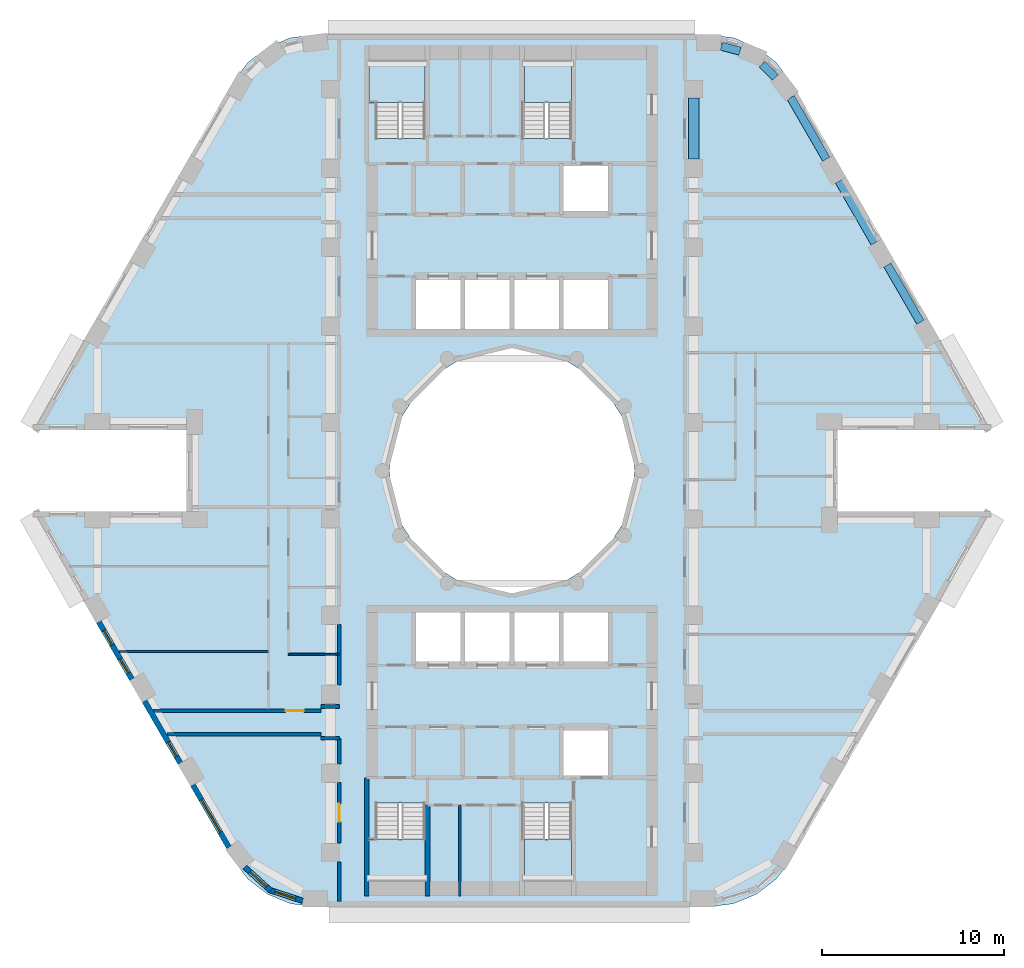
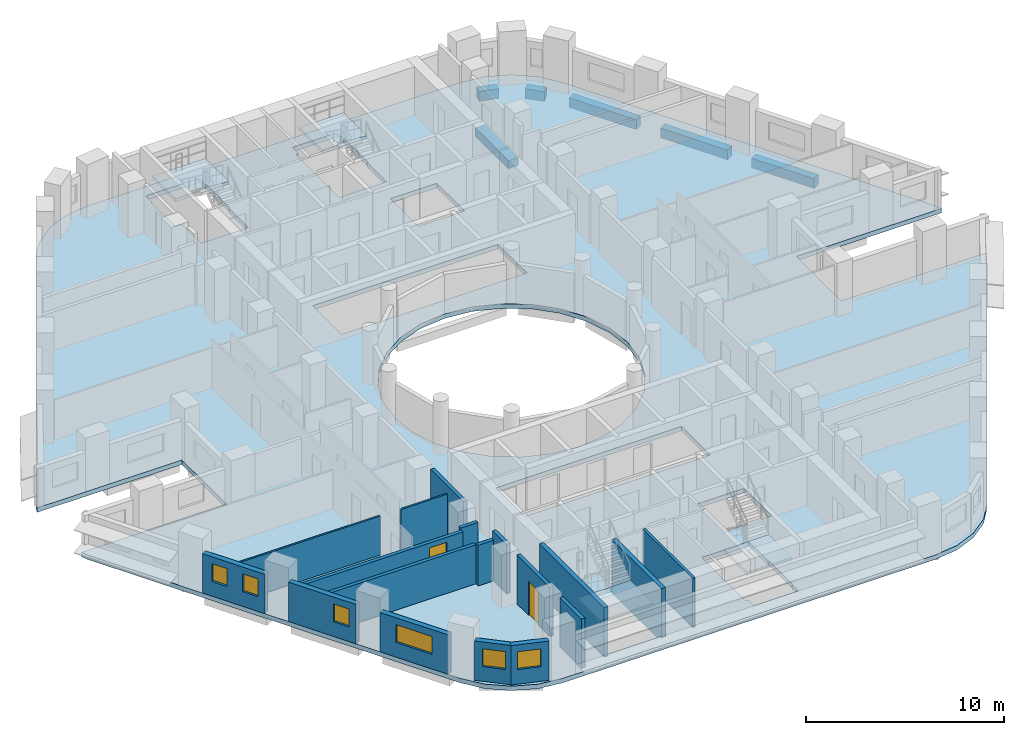
# One storey, part 2 of 12: 18 walls, 6 beams, 6 windows, 5 slabs, 2 doors, 8 openings, 4 elements without a shape of their own.
"""IFC4 building model written with IfcOpenShell, lengths in metres."""

from ifc_helpers import new_model, si_unit, direction, frame, frame_2d, origin, origin_2d, place, context, subcontext, project, spatial, polyline, rectangle, outline, extrude, material, layer, layer_set, material_profile, profile_set, type_object, element, fill, aggregate, save


model = new_model("IFC4")

# Units and contexts
model_context = context("Model", 3, precision=1e-05, world=origin(), true_north=direction((0.0, 1.0)))
body_context = subcontext(model_context, "Body", "Model", "MODEL_VIEW")
ifc_project = project(units=[si_unit("LENGTHUNIT", "METRE"), si_unit("AREAUNIT", "SQUARE_METRE"), si_unit("VOLUMEUNIT", "CUBIC_METRE"), si_unit("PLANEANGLEUNIT", "RADIAN"), si_unit("MASSUNIT", "GRAM", prefix="KILO")], contexts=[model_context])

# Site, building, storey
site_placement = place(None, origin())
site = spatial("IfcSite", under=ifc_project, at=site_placement, CompositionType="ELEMENT")
building_placement = place(site_placement, origin())
building = spatial("IfcBuilding", under=site, at=building_placement, Name="Nakaniwa Court", CompositionType="ELEMENT")
storey_placement = place(building_placement, frame((0.0, 0.0, 100.800048828125)))
storey = spatial("IfcBuildingStorey", under=building, at=storey_placement, Name="L26", CompositionType="ELEMENT", Elevation=100.800048828125)

# Beams
ifc_material_1 = material(Name="Concrete C80/100", Category="concrete")
ifc_material_profile_1 = material_profile(ifc_material_1, rectangle(XDim=0.449951171875, YDim=0.60009765625, at=origin_2d()), Name="Concrete C80/100 RC 450x600 spandrel beam")
ifc_profile_set_1 = profile_set([ifc_material_profile_1], Name="Concrete C80/100")
beam_type_1 = type_object("IfcBeamType", Name="Concrete C80/100 RC 450x600 spandrel beam", PredefinedType="BEAM", material=ifc_profile_set_1)
beam_1_placement = place(storey_placement, frame((102.472900390625, 88.17578125, -0.574951171875), z_axis=(-0.499988394233, 0.866032104273, 0.0), x_axis=(-0.866032104273, -0.499988394233, 0.0)))
element("IfcBeam", 1, at=beam_1_placement, inside=storey, type_object=beam_type_1, Name="SPANDREL BEAM", PredefinedType="BEAM", context=body_context, shape_type="SweptSolid", body=[
    extrude(rectangle(XDim=0.449951171875, YDim=0.60009765625, at=origin_2d()), origin(), (0.0, 0.0, 1.0), 3.62890625),
])
beam_2_placement = place(storey_placement, frame((99.95849609375, 92.531005859375, -0.574951171875), z_axis=(-0.49999161165, 0.866030246746, 0.0), x_axis=(-0.866030246746, -0.49999161165, 0.0)))
element("IfcBeam", 2, at=beam_2_placement, inside=storey, type_object=beam_type_1, Name="SPANDREL BEAM", PredefinedType="BEAM", context=body_context, shape_type="SweptSolid", body=[
    extrude(rectangle(XDim=0.449951171875, YDim=0.60009765625, at=origin_2d()), origin(), (0.0, 0.0, 1.0), 3.92578125),
])
beam_3_placement = place(storey_placement, frame((97.29541015625, 97.143310546875, -0.574951171875), z_axis=(-0.499997407846, 0.86602690036, 0.0), x_axis=(-0.86602690036, -0.499997407846, 0.0)))
element("IfcBeam", 3, at=beam_3_placement, inside=storey, type_object=beam_type_1, Name="SPANDREL BEAM", PredefinedType="BEAM", context=body_context, shape_type="SweptSolid", body=[
    extrude(rectangle(XDim=0.449951171875, YDim=0.60009765625, at=origin_2d()), origin(), (0.0, 0.0, 1.0), 3.919921875),
])
beam_4_placement = place(storey_placement, frame((94.484130859375, 101.6494140625, -0.574951171875), z_axis=(-0.705911336947, 0.7083002078, 0.0), x_axis=(-0.7083002078, -0.705911336947, 0.0)))
element("IfcBeam", 4, at=beam_4_placement, inside=storey, type_object=beam_type_1, Name="SPANDREL BEAM", PredefinedType="BEAM", context=body_context, shape_type="SweptSolid", body=[
    extrude(rectangle(XDim=0.449951171875, YDim=0.60009765625, at=origin_2d()), origin(), (0.0, 0.0, 1.0), 1.02197265625),
])
beam_5_placement = place(storey_placement, frame((92.544921875, 103.091796875, -0.574951171875), z_axis=(-0.966315487466, 0.257360406209, 0.0), x_axis=(-0.257360406209, -0.966315487466, 0.0)))
element("IfcBeam", 5, at=beam_5_placement, inside=storey, type_object=beam_type_1, Name="SPANDREL BEAM", PredefinedType="BEAM", context=body_context, shape_type="SweptSolid", body=[
    extrude(rectangle(XDim=0.449951171875, YDim=0.60009765625, at=origin_2d()), origin(), (0.0, 0.0, 1.0), 1.055908203125),
])
ifc_material_profile_2 = material_profile(ifc_material_1, rectangle(XDim=0.60009765625, YDim=0.5, at=origin_2d()), Name="Concrete C80/100 RC 600x500 ring beam")
ifc_profile_set_2 = profile_set([ifc_material_profile_2], Name="Concrete C80/100")
beam_type_2 = type_object("IfcBeamType", Name="Concrete C80/100 RC 600x500 ring beam", PredefinedType="BEAM", material=ifc_profile_set_2)
beam_6_placement = place(storey_placement, frame((90.0, 97.14990234375, -0.525146484375), z_axis=(0.0, 1.0, 0.0), x_axis=(-1.0, 0.0, 0.0)))
element("IfcBeam", 6, at=beam_6_placement, inside=storey, type_object=beam_type_2, Name="RING BEAM", PredefinedType="BEAM", context=body_context, shape_type="SweptSolid", body=[
    extrude(rectangle(XDim=0.60009765625, YDim=0.5, at=origin_2d()), origin(), (0.0, 0.0, 1.0), 3.35009765625),
])

# Slab
ifc_layer_1 = layer(ifc_material_1, 0.27490234375)
ifc_layer_set_1 = layer_set([ifc_layer_1], Name="Concrete C80/100")
slab_type_1 = type_object("IfcSlabType", Name="Concrete C80/100 post tensioned floor slab 275", PredefinedType="FLOOR", material=ifc_layer_set_1)
slab_1_placement = place(storey_placement, frame((0.0, 0.0, -0.275146484375)))
element("IfcSlab", 7, at=slab_1_placement, inside=storey, type_object=slab_type_1, Name="FLOOR SLAB", PredefinedType="FLOOR", context=body_context, shape_type="SweptSolid", body=[
    extrude(outline(polyline([(97.908447265625, 82.25), (106.356689453125, 82.25), (106.211669921875, 82.60009765625), (95.357421875, 101.39990234375), (94.531005859375, 102.47705078125), (93.4541015625, 103.30322265625), (92.199951171875, 103.82275390625), (90.854248046875, 104.0), (69.145751953125, 104.0), (67.800048828125, 103.82275390625), (66.5458984375, 103.30322265625), (65.468994140625, 102.47705078125), (64.642578125, 101.39990234375), (53.788330078125, 82.60009765625), (53.643310546875, 82.25), (62.091552734375, 82.25), (62.091552734375, 77.75), (53.643310546875, 77.75), (53.788330078125, 77.39990234375), (64.642578125, 58.60009765625), (65.468994140625, 57.52294921875), (66.5458984375, 56.69677734375), (67.800048828125, 56.17724609375), (69.145751953125, 56.0), (90.854248046875, 56.0), (92.199951171875, 56.17724609375), (93.4541015625, 56.69677734375), (94.531005859375, 57.52294921875), (95.357421875, 58.60009765625), (106.211669921875, 77.39990234375), (106.356689453125, 77.75), (97.908447265625, 77.75), (97.908447265625, 82.25)]), holes=[polyline([(81.501953125, 86.580810546875), (80.0, 86.75), (78.498046875, 86.580810546875), (77.0712890625, 86.08154296875), (75.79150390625, 85.27734375), (74.72265625, 84.20849609375), (73.91845703125, 82.9287109375), (73.419189453125, 81.501953125), (73.25, 80.0), (73.419189453125, 78.498046875), (73.91845703125, 77.0712890625), (74.72265625, 75.79150390625), (75.79150390625, 74.72265625), (77.0712890625, 73.91845703125), (78.498046875, 73.419189453125), (80.0, 73.25), (81.501953125, 73.419189453125), (82.9287109375, 73.91845703125), (84.20849609375, 74.72265625), (85.27734375, 75.79150390625), (86.08154296875, 77.0712890625), (86.580810546875, 78.498046875), (86.75, 80.0), (86.580810546875, 81.501953125), (86.08154296875, 82.9287109375), (85.27734375, 84.20849609375), (84.20849609375, 85.27734375), (82.9287109375, 86.08154296875), (81.501953125, 86.580810546875)]), polyline([(75.264892578125, 57.360107421875), (75.264892578125, 59.764892578125), (75.22509765625, 59.764892578125), (75.22509765625, 61.7099609375), (72.47509765625, 61.7099609375), (72.47509765625, 59.764892578125), (72.0849609375, 59.764892578125), (72.0849609375, 57.360107421875), (72.125, 57.360107421875), (72.125, 56.72509765625), (75.22509765625, 56.72509765625), (75.22509765625, 57.324951171875), (75.22509765625, 57.360107421875), (75.264892578125, 57.360107421875)]), polyline([(80.0, 69.300048828125), (82.699951171875, 69.300048828125), (85.39990234375, 69.300048828125), (85.39990234375, 72.199951171875), (82.699951171875, 72.199951171875), (80.0, 72.199951171875), (77.300048828125, 72.199951171875), (74.60009765625, 72.199951171875), (74.60009765625, 69.300048828125), (77.300048828125, 69.300048828125), (80.0, 69.300048828125)]), polyline([(80.0, 87.800048828125), (82.699951171875, 87.800048828125), (85.39990234375, 87.800048828125), (85.39990234375, 90.699951171875), (82.699951171875, 90.699951171875), (80.0, 90.699951171875), (77.300048828125, 90.699951171875), (74.60009765625, 90.699951171875), (74.60009765625, 87.800048828125), (77.300048828125, 87.800048828125), (80.0, 87.800048828125)]), polyline([(75.264892578125, 100.235107421875), (75.264892578125, 102.639892578125), (75.22509765625, 102.639892578125), (75.22509765625, 102.675048828125), (75.22509765625, 103.27490234375), (72.125, 103.27490234375), (72.125, 102.639892578125), (72.0849609375, 102.639892578125), (72.0849609375, 100.235107421875), (72.47509765625, 100.235107421875), (72.47509765625, 98.2900390625), (75.22509765625, 98.2900390625), (75.22509765625, 100.235107421875), (75.264892578125, 100.235107421875)]), polyline([(83.27490234375, 61.7099609375), (80.52490234375, 61.7099609375), (80.52490234375, 57.324951171875), (80.675048828125, 57.324951171875), (80.675048828125, 56.72509765625), (83.27490234375, 56.72509765625), (83.27490234375, 57.324951171875), (83.27490234375, 57.360107421875), (83.31494140625, 57.360107421875), (83.31494140625, 59.764892578125), (83.27490234375, 59.764892578125), (83.27490234375, 61.7099609375)]), polyline([(85.39990234375, 65.89990234375), (82.699951171875, 65.89990234375), (82.699951171875, 63.10009765625), (85.39990234375, 63.10009765625), (85.39990234375, 65.89990234375)]), polyline([(85.39990234375, 96.89990234375), (82.699951171875, 96.89990234375), (82.699951171875, 94.10009765625), (85.39990234375, 94.10009765625), (85.39990234375, 96.89990234375)]), polyline([(83.27490234375, 100.235107421875), (83.31494140625, 100.235107421875), (83.31494140625, 102.639892578125), (83.27490234375, 102.639892578125), (83.27490234375, 102.675048828125), (83.27490234375, 103.27490234375), (80.675048828125, 103.27490234375), (80.675048828125, 102.675048828125), (80.52490234375, 102.675048828125), (80.52490234375, 98.2900390625), (83.27490234375, 98.2900390625), (83.27490234375, 100.235107421875)])]), origin(), (0.0, 0.0, 1.0), 0.275146484375),
])

# Stair, slab
stair_type = type_object("IfcStairType", Name="Dog leg stair 1300 wide 18 risers", PredefinedType="HALF_TURN_STAIR", material=ifc_material_1)
stair_1_placement = place(storey_placement, origin())
stair_1 = element("IfcStair", 8, at=stair_1_placement, inside=storey, type_object=stair_type, Name="L26 Stair ST1", PredefinedType="HALF_TURN_STAIR")
ifc_layer_2 = layer(ifc_material_1, 0.199951171875)
ifc_layer_set_2 = layer_set([ifc_layer_2], Name="Concrete C80/100")
slab_type_2 = type_object("IfcSlabType", Name="Stair landing concrete", PredefinedType="LANDING", material=ifc_layer_set_2)
slab_2_placement = place(storey_placement, frame((0.0, 0.0, 1.449951171875)))
slab_2 = element("IfcSlab", 9, at=slab_2_placement, type_object=slab_type_2, Name="ST1 landing 1", PredefinedType="LANDING", context=body_context, shape_type="SweptSolid", body=[
    extrude(outline(polyline([(75.22509765625, 100.27490234375), (75.22509765625, 102.60009765625), (72.125, 102.60009765625), (72.125, 100.27490234375), (75.22509765625, 100.27490234375)])), origin(), (0.0, 0.0, 1.0), 0.199951171875),
])
aggregate(stair_1, [slab_2])

stair_2_placement = place(storey_placement, origin())
stair_2 = element("IfcStair", 10, at=stair_2_placement, inside=storey, type_object=stair_type, Name="L26 Stair ST2", PredefinedType="HALF_TURN_STAIR")
slab_3_placement = place(storey_placement, frame((0.0, 0.0, 1.449951171875)))
slab_3 = element("IfcSlab", 11, at=slab_3_placement, type_object=slab_type_2, Name="ST2 landing 1", PredefinedType="LANDING", context=body_context, shape_type="SweptSolid", body=[
    extrude(outline(polyline([(83.27490234375, 100.27490234375), (83.27490234375, 102.60009765625), (80.675048828125, 102.60009765625), (80.675048828125, 100.27490234375), (83.27490234375, 100.27490234375)])), origin(), (0.0, 0.0, 1.0), 0.199951171875),
])
aggregate(stair_2, [slab_3])

stair_3_placement = place(storey_placement, origin())
stair_3 = element("IfcStair", 12, at=stair_3_placement, inside=storey, type_object=stair_type, Name="L26 Stair ST3", PredefinedType="HALF_TURN_STAIR")
slab_4_placement = place(storey_placement, frame((0.0, 0.0, 1.449951171875)))
slab_4 = element("IfcSlab", 13, at=slab_4_placement, type_object=slab_type_2, Name="ST3 landing 1", PredefinedType="LANDING", context=body_context, shape_type="SweptSolid", body=[
    extrude(outline(polyline([(75.22509765625, 57.39990234375), (75.22509765625, 59.72509765625), (72.125, 59.72509765625), (72.125, 57.39990234375), (75.22509765625, 57.39990234375)])), origin(), (0.0, 0.0, 1.0), 0.199951171875),
])
aggregate(stair_3, [slab_4])

stair_4_placement = place(storey_placement, origin())
stair_4 = element("IfcStair", 14, at=stair_4_placement, inside=storey, type_object=stair_type, Name="L26 Stair ST4", PredefinedType="HALF_TURN_STAIR")
slab_5_placement = place(storey_placement, frame((0.0, 0.0, 1.449951171875)))
slab_5 = element("IfcSlab", 15, at=slab_5_placement, type_object=slab_type_2, Name="ST4 landing 1", PredefinedType="LANDING", context=body_context, shape_type="SweptSolid", body=[
    extrude(outline(polyline([(83.27490234375, 57.39990234375), (83.27490234375, 59.72509765625), (80.675048828125, 59.72509765625), (80.675048828125, 57.39990234375), (83.27490234375, 57.39990234375)])), origin(), (0.0, 0.0, 1.0), 0.199951171875),
])
aggregate(stair_4, [slab_5])

# Walls
ifc_material_2 = material(Name="Acoustic double stud partition")
ifc_layer_3 = layer(ifc_material_2, 0.199951171875)
ifc_layer_set_3 = layer_set([ifc_layer_3], Name="Acoustic double stud partition")
wall_type_1 = type_object("IfcWallType", Name="Acoustic double stud partition 200", PredefinedType="PARTITIONING", material=ifc_layer_set_3)
wall_1_placement = place(storey_placement, frame((61.005126953125, 65.5, 0.0), z_axis=(0.0, 0.0, 1.0), x_axis=(1.0, 0.0, 0.0)))
element("IfcWall", 16, at=wall_1_placement, inside=storey, type_object=wall_type_1, Name="Partition PW-089", PredefinedType="PARTITIONING", context=body_context, shape_type="SweptSolid", body=[
    extrude(rectangle(XDim=8.494873046875, YDim=0.199951171875, at=frame_2d((4.24755859375, 0.0))), origin(), (0.0, 0.0, 1.0), 2.405029296875),
])
for number, where, z_axis, x_axis, name in (
    (17, (69.5, 65.27490234375, 0.0), (0.0, 0.0, 1.0), (1.0, 0.0, 0.0), "Partition PW-091"),
    (18, (69.5, 67.02490234375, 0.0), (0.0, 0.0, 1.0), (1.0, 0.0, 0.0), "Partition PW-093"),
):
    element("IfcWall", number, at=place(storey_placement, frame(where, z_axis=z_axis, x_axis=x_axis)), inside=storey, type_object=wall_type_1, Name=name, PredefinedType="PARTITIONING", context=body_context, shape_type="SweptSolid", body=[
        extrude(rectangle(XDim=1.0, YDim=0.199951171875, at=frame_2d((0.5, 0.0))), origin(), (0.0, 0.0, 1.0), 2.5048828125),
    ])

# Wall, opening, door
wall_2_placement = place(storey_placement, frame((60.254638671875, 66.800048828125, 0.0), z_axis=(0.0, 0.0, 1.0), x_axis=(1.0, 0.0, 0.0)))
wall_2 = element("IfcWall", 19, at=wall_2_placement, inside=storey, type_object=wall_type_1, Name="Partition PW-095", PredefinedType="PARTITIONING", context=body_context, shape_type="SweptSolid", body=[
    extrude(rectangle(XDim=9.245361328125, YDim=0.199951171875, at=frame_2d((4.62255859375, 0.0))), origin(), (0.0, 0.0, 1.0), 2.405029296875),
])
opening_1_placement = place(wall_2_placement, frame((7.294921875, 0.0, 0.0)))
opening_1 = element("IfcOpeningElement", 20, at=opening_1_placement, cuts=wall_2, Name="Opening D-01-02", PredefinedType="OPENING", context=body_context, shape_type="SweptSolid", body=[
    extrude(rectangle(XDim=1.0, YDim=2.10009765625, at=frame_2d((0.5, 1.050048828125))), frame((0.0, 0.10986328125, 0.0), z_axis=(0.0, -1.0, 0.0), x_axis=(1.0, 0.0, 0.0)), (0.0, 0.0, 1.0), 0.219970703125),
])
ifc_material_3 = material(Name="Solid core timber door set, black veneer", Category="wood")
door_type_1 = type_object("IfcDoorType", Name="Flat entrance door 1000", OperationType="NOTDEFINED", PredefinedType="DOOR", material=ifc_material_3)
door_1_placement = place(opening_1_placement, origin())
door_1 = element("IfcDoor", 21, at=door_1_placement, inside=storey, type_object=door_type_1, Name="Door D-01-02 L26-036", OperationType="SINGLE_SWING_LEFT", OverallHeight=2.10009765625, OverallWidth=1.0, PredefinedType="DOOR", context=body_context, shape_type="SweptSolid", body=[
    extrude(rectangle(XDim=1.0, YDim=2.10009765625, at=frame_2d((0.5, 1.050048828125))), frame((0.0, 0.02490234375, 0.0), z_axis=(0.0, -1.0, 0.0), x_axis=(1.0, 0.0, 0.0)), (0.0, 0.0, 1.0), 0.050048828125),
])
fill(opening_1, door_1)

# Wall
wall_3_placement = place(storey_placement, frame((70.5, 56.300048828125, 0.0), z_axis=(0.0, 0.0, 1.0), x_axis=(0.0, 1.0, 0.0)))
element("IfcWall", 22, at=wall_3_placement, inside=storey, type_object=wall_type_1, Name="Partition PW-097", PredefinedType="PARTITIONING", context=body_context, shape_type="SweptSolid", body=[
    extrude(rectangle(XDim=2.182861328125, YDim=0.199951171875, at=frame_2d((1.09130859375, 0.0))), origin(), (0.0, 0.0, 1.0), 3.02490234375),
])

# Wall, opening, door
wall_4_placement = place(storey_placement, frame((70.5, 59.51708984375, 0.0), z_axis=(0.0, 0.0, 1.0), x_axis=(0.0, 1.0, 0.0)))
wall_4 = element("IfcWall", 23, at=wall_4_placement, inside=storey, type_object=wall_type_1, Name="Partition PW-098", PredefinedType="PARTITIONING", context=body_context, shape_type="SweptSolid", body=[
    extrude(rectangle(XDim=3.31591796875, YDim=0.199951171875, at=frame_2d((1.657958984375, 0.0))), origin(), (0.0, 0.0, 1.0), 3.02490234375),
])
opening_2_placement = place(wall_4_placement, frame((1.157958984375, 0.0, 0.0)))
opening_2 = element("IfcOpeningElement", 24, at=opening_2_placement, cuts=wall_4, Name="Opening D-02-03", PredefinedType="OPENING", context=body_context, shape_type="SweptSolid", body=[
    extrude(rectangle(XDim=1.0, YDim=2.10009765625, at=frame_2d((0.5, 1.050048828125))), frame((0.0, 0.10986328125, 0.0), z_axis=(0.0, -1.0, 0.0), x_axis=(1.0, 0.0, 0.0)), (0.0, 0.0, 1.0), 0.219970703125),
])
door_type_2 = type_object("IfcDoorType", Name="Internal door 1000", OperationType="NOTDEFINED", PredefinedType="DOOR", material=ifc_material_3)
door_2_placement = place(opening_2_placement, origin())
door_2 = element("IfcDoor", 25, at=door_2_placement, inside=storey, type_object=door_type_2, Name="Door D-02-03 L26-035", OperationType="SINGLE_SWING_RIGHT", OverallHeight=2.10009765625, OverallWidth=1.0, PredefinedType="DOOR", context=body_context, shape_type="SweptSolid", body=[
    extrude(rectangle(XDim=1.0, YDim=2.10009765625, at=frame_2d((0.5, 1.050048828125))), frame((0.0, 0.02490234375, 0.0), z_axis=(0.0, -1.0, 0.0), x_axis=(1.0, 0.0, 0.0)), (0.0, 0.0, 1.0), 0.050048828125),
])
fill(opening_2, door_2)

# Walls
wall_5_placement = place(storey_placement, frame((70.5, 63.866943359375, 0.0), z_axis=(0.0, 0.0, 1.0), x_axis=(0.0, 1.0, 0.0)))
element("IfcWall", 26, at=wall_5_placement, inside=storey, type_object=wall_type_1, Name="Partition PW-099", PredefinedType="PARTITIONING", context=body_context, shape_type="SweptSolid", body=[
    extrude(rectangle(XDim=1.4111328125, YDim=0.199951171875, at=frame_2d((0.70556640625, 0.0))), origin(), (0.0, 0.0, 1.0), 3.02490234375),
])
wall_6_placement = place(storey_placement, frame((70.5, 68.217041015625, 0.0), z_axis=(0.0, 0.0, 1.0), x_axis=(0.0, 1.0, 0.0)))
element("IfcWall", 27, at=wall_6_placement, inside=storey, type_object=wall_type_1, Name="Partition PW-100", PredefinedType="PARTITIONING", context=body_context, shape_type="SweptSolid", body=[
    extrude(rectangle(XDim=3.31591796875, YDim=0.199951171875, at=frame_2d((1.657958984375, 0.0))), origin(), (0.0, 0.0, 1.0), 3.02490234375),
])

# Wall, openings, windows
ifc_material_4 = material(Name="Charcoal ceramic cladding")
ifc_layer_4 = layer(ifc_material_4, 0.02, Name="Ceramic cladding")
ifc_material_5 = material(Name="Ventilated air cavity")
ifc_layer_5 = layer(ifc_material_5, 0.04, ventilated=True, Name="Ventilated cavity")
ifc_material_6 = material(Name="Mineral wool insulation")
ifc_layer_6 = layer(ifc_material_6, 0.1, Name="Insulation")
ifc_material_7 = material(Name="Cement bonded sheathing board")
ifc_layer_7 = layer(ifc_material_7, 0.012, Name="Sheathing")
ifc_material_8 = material(Name="Cold-formed galvanised stud frame with mineral wool infill")
ifc_layer_8 = layer(ifc_material_8, 0.1, Name="Stud frame")
ifc_material_9 = material(Name="Fire-rated gypsum plasterboard lining")
ifc_layer_9 = layer(ifc_material_9, 0.028, Name="Lining")
ifc_layer_set_4 = layer_set([ifc_layer_4, ifc_layer_5, ifc_layer_6, ifc_layer_7, ifc_layer_8, ifc_layer_9], Name="Charcoal ceramic faced external wall system")
wall_type_2 = type_object("IfcWallType", Name="Black ceramic faced external wall 300", PredefinedType="SOLIDWALL", material=ifc_layer_set_4)
wall_7_placement = place(storey_placement, frame((57.265380859375, 71.677490234375, 0.0), z_axis=(0.0, 0.0, 1.0), x_axis=(0.500009139881, -0.866020126807, 0.0)))
wall_7 = element("IfcWall", 28, at=wall_7_placement, inside=storey, type_object=wall_type_2, Name="L26 external wall 21", PredefinedType="SOLIDWALL", context=body_context, shape_type="SweptSolid", body=[
    extrude(rectangle(XDim=3.63671875, YDim=0.300048828125, at=frame_2d((1.818359375, 0.0))), origin(), (0.0, 0.0, 1.0), 2.425048828125),
])
opening_3_placement = place(wall_7_placement, frame((0.5498046875, 0.0, 0.89990234375)))
opening_3 = element("IfcOpeningElement", 29, at=opening_3_placement, cuts=wall_7, Name="Opening W9.23", PredefinedType="OPENING", context=body_context, shape_type="SweptSolid", body=[
    extrude(rectangle(XDim=0.89990234375, YDim=1.10009765625, at=frame_2d((0.449951171875, 0.550048828125))), frame((0.0, 0.159912109375, 0.0), z_axis=(0.0, -1.0, 0.0), x_axis=(1.0, 0.0, 0.0)), (0.0, 0.0, 1.0), 0.320068359375),
])
opening_4_placement = place(wall_7_placement, frame((2.34423828125, 0.0, 0.89990234375)))
opening_4 = element("IfcOpeningElement", 30, at=opening_4_placement, cuts=wall_7, Name="Opening W9.24", PredefinedType="OPENING", context=body_context, shape_type="SweptSolid", body=[
    extrude(rectangle(XDim=0.89990234375, YDim=1.10009765625, at=frame_2d((0.449951171875, 0.550048828125))), frame((0.0, 0.159912109375, 0.0), z_axis=(0.0, -1.0, 0.0), x_axis=(1.0, 0.0, 0.0)), (0.0, 0.0, 1.0), 0.320068359375),
])
ifc_material_10 = material(Name="Black anodised aluminium frame with dark low-E laminated double glazing", Category="aluminium")
window_type_1 = type_object("IfcWindowType", Name="Dark glass window 900x1100 sill 900", PartitioningType="SINGLE_PANEL", PredefinedType="WINDOW", material=ifc_material_10)
window_1_placement = place(opening_3_placement, origin())
window_1 = element("IfcWindow", 31, at=window_1_placement, inside=storey, type_object=window_type_1, Name="L26 living window 21-0", OverallHeight=1.10009765625, OverallWidth=0.89990234375, PartitioningType="SINGLE_PANEL", PredefinedType="WINDOW", context=body_context, shape_type="SweptSolid", body=[
    extrude(rectangle(XDim=0.89990234375, YDim=1.10009765625, at=frame_2d((0.449951171875, 0.550048828125))), frame((0.0, 0.030029296875, 0.0), z_axis=(0.0, -1.0, 0.0), x_axis=(1.0, 0.0, 0.0)), (0.0, 0.0, 1.0), 0.06005859375),
])
fill(opening_3, window_1)
window_2_placement = place(opening_4_placement, origin())
window_2 = element("IfcWindow", 32, at=window_2_placement, inside=storey, type_object=window_type_1, Name="L26 bedroom window 21-1", OverallHeight=1.10009765625, OverallWidth=0.89990234375, PartitioningType="SINGLE_PANEL", PredefinedType="WINDOW", context=body_context, shape_type="SweptSolid", body=[
    extrude(rectangle(XDim=0.89990234375, YDim=1.10009765625, at=frame_2d((0.449951171875, 0.550048828125))), frame((0.0, 0.030029296875, 0.0), z_axis=(0.0, -1.0, 0.0), x_axis=(1.0, 0.0, 0.0)), (0.0, 0.0, 1.0), 0.06005859375),
])
fill(opening_4, window_2)

# Wall, opening, window
wall_8_placement = place(storey_placement, frame((59.77978515625, 67.322509765625, 0.0), z_axis=(0.0, 0.0, 1.0), x_axis=(0.499957037901, -0.866050206543, 0.0)))
wall_8 = element("IfcWall", 33, at=wall_8_placement, inside=storey, type_object=wall_type_2, Name="L26 external wall 22", PredefinedType="SOLIDWALL", context=body_context, shape_type="SweptSolid", body=[
    extrude(rectangle(XDim=3.933837890625, YDim=0.300048828125, at=frame_2d((1.966796875, 0.0))), origin(), (0.0, 0.0, 1.0), 2.425048828125),
])
opening_5_placement = place(wall_8_placement, frame((2.606201171875, 0.0, 0.89990234375)))
opening_5 = element("IfcOpeningElement", 34, at=opening_5_placement, cuts=wall_8, Name="Opening W9.25", PredefinedType="OPENING", context=body_context, shape_type="SweptSolid", body=[
    extrude(rectangle(XDim=0.89990234375, YDim=1.10009765625, at=frame_2d((0.449951171875, 0.550048828125))), frame((0.0, 0.159912109375, 0.0), z_axis=(0.0, -1.0, 0.0), x_axis=(1.0, 0.0, 0.0)), (0.0, 0.0, 1.0), 0.320068359375),
])
window_3_placement = place(opening_5_placement, origin())
window_3 = element("IfcWindow", 35, at=window_3_placement, inside=storey, type_object=window_type_1, Name="L26 habitable room window 22-2", OverallHeight=1.10009765625, OverallWidth=0.89990234375, PartitioningType="SINGLE_PANEL", PredefinedType="WINDOW", context=body_context, shape_type="SweptSolid", body=[
    extrude(rectangle(XDim=0.89990234375, YDim=1.10009765625, at=frame_2d((0.449951171875, 0.550048828125))), frame((0.0, 0.030029296875, 0.0), z_axis=(0.0, -1.0, 0.0), x_axis=(1.0, 0.0, 0.0)), (0.0, 0.0, 1.0), 0.06005859375),
])
fill(opening_5, window_3)

wall_9_placement = place(storey_placement, frame((62.442626953125, 62.710205078125, 0.0), z_axis=(0.0, 0.0, 1.0), x_axis=(0.500043828347, -0.866000097998, 0.0)))
wall_9 = element("IfcWall", 36, at=wall_9_placement, inside=storey, type_object=wall_type_2, Name="L26 external wall 23", PredefinedType="SOLIDWALL", context=body_context, shape_type="SweptSolid", body=[
    extrude(rectangle(XDim=3.967529296875, YDim=0.300048828125, at=frame_2d((1.98388671875, 0.0))), origin(), (0.0, 0.0, 1.0), 2.425048828125),
])
opening_6_placement = place(wall_9_placement, frame((0.92236328125, 0.0, 0.89990234375)))
opening_6 = element("IfcOpeningElement", 37, at=opening_6_placement, cuts=wall_9, Name="Opening W7.26", PredefinedType="OPENING", context=body_context, shape_type="SweptSolid", body=[
    extrude(rectangle(XDim=2.10009765625, YDim=1.10009765625, at=frame_2d((1.050048828125, 0.550048828125))), frame((0.0, 0.159912109375, 0.0), z_axis=(0.0, -1.0, 0.0), x_axis=(1.0, 0.0, 0.0)), (0.0, 0.0, 1.0), 0.320068359375),
])
window_type_2 = type_object("IfcWindowType", Name="Dark glass window 2100x1100 sill 900", PartitioningType="SINGLE_PANEL", PredefinedType="WINDOW", material=ifc_material_10)
window_4_placement = place(opening_6_placement, origin())
window_4 = element("IfcWindow", 38, at=window_4_placement, inside=storey, type_object=window_type_2, Name="L26 habitable room window 23-0", OverallHeight=1.10009765625, OverallWidth=2.10009765625, PartitioningType="SINGLE_PANEL", PredefinedType="WINDOW", context=body_context, shape_type="SweptSolid", body=[
    extrude(rectangle(XDim=2.10009765625, YDim=1.10009765625, at=frame_2d((1.050048828125, 0.550048828125))), frame((0.0, 0.030029296875, 0.0), z_axis=(0.0, -1.0, 0.0), x_axis=(1.0, 0.0, 0.0)), (0.0, 0.0, 1.0), 0.06005859375),
])
fill(opening_6, window_4)

wall_10_placement = place(storey_placement, frame((65.294921875, 58.18603515625, 0.0), z_axis=(0.0, 0.0, 1.0), x_axis=(0.740421367382, -0.672142989791, 0.0)))
wall_10 = element("IfcWall", 39, at=wall_10_placement, inside=storey, type_object=wall_type_2, Name="L26 external wall 24", PredefinedType="SOLIDWALL", context=body_context, shape_type="SweptSolid", body=[
    extrude(rectangle(XDim=1.92724609375, YDim=0.300048828125, at=frame_2d((0.963623046875, 0.0))), origin(), (0.0, 0.0, 1.0), 2.425048828125),
])
opening_7_placement = place(wall_10_placement, frame((0.39111328125, 0.0, 0.89990234375)))
opening_7 = element("IfcOpeningElement", 40, at=opening_7_placement, cuts=wall_10, Name="Opening W6.27", PredefinedType="OPENING", context=body_context, shape_type="SweptSolid", body=[
    extrude(rectangle(XDim=1.199951171875, YDim=1.10009765625, at=frame_2d((0.60009765625, 0.550048828125))), frame((0.0, 0.159912109375, 0.0), z_axis=(0.0, -1.0, 0.0), x_axis=(1.0, 0.0, 0.0)), (0.0, 0.0, 1.0), 0.320068359375),
])
window_type_3 = type_object("IfcWindowType", Name="Dark glass window 1200x1100 sill 900", PartitioningType="SINGLE_PANEL", PredefinedType="WINDOW", material=ifc_material_10)
window_5_placement = place(opening_7_placement, origin())
window_5 = element("IfcWindow", 41, at=window_5_placement, inside=storey, type_object=window_type_3, Name="L26 habitable room window 24-0", OverallHeight=1.10009765625, OverallWidth=1.199951171875, PartitioningType="SINGLE_PANEL", PredefinedType="WINDOW", context=body_context, shape_type="SweptSolid", body=[
    extrude(rectangle(XDim=1.199951171875, YDim=1.10009765625, at=frame_2d((0.60009765625, 0.550048828125))), frame((0.0, 0.030029296875, 0.0), z_axis=(0.0, -1.0, 0.0), x_axis=(1.0, 0.0, 0.0)), (0.0, 0.0, 1.0), 0.06005859375),
])
fill(opening_7, window_5)

wall_11_placement = place(storey_placement, frame((66.625, 56.939453125, 0.0), z_axis=(0.0, 0.0, 1.0), x_axis=(0.950777961763, -0.309872985958, 0.0)))
wall_11 = element("IfcWall", 42, at=wall_11_placement, inside=storey, type_object=wall_type_2, Name="L26 external wall 25", PredefinedType="SOLIDWALL", context=body_context, shape_type="SweptSolid", body=[
    extrude(rectangle(XDim=1.949951171875, YDim=0.300048828125, at=frame_2d((0.97509765625, 0.0))), origin(), (0.0, 0.0, 1.0), 2.425048828125),
])
opening_8_placement = place(wall_11_placement, frame((0.334716796875, 0.0, 0.89990234375)))
opening_8 = element("IfcOpeningElement", 43, at=opening_8_placement, cuts=wall_11, Name="Opening W6.28", PredefinedType="OPENING", context=body_context, shape_type="SweptSolid", body=[
    extrude(rectangle(XDim=1.199951171875, YDim=1.10009765625, at=frame_2d((0.60009765625, 0.550048828125))), frame((0.0, 0.159912109375, 0.0), z_axis=(0.0, -1.0, 0.0), x_axis=(1.0, 0.0, 0.0)), (0.0, 0.0, 1.0), 0.320068359375),
])
window_6_placement = place(opening_8_placement, origin())
window_6 = element("IfcWindow", 44, at=window_6_placement, inside=storey, type_object=window_type_3, Name="L26 habitable room window 25-0", OverallHeight=1.10009765625, OverallWidth=1.199951171875, PartitioningType="SINGLE_PANEL", PredefinedType="WINDOW", context=body_context, shape_type="SweptSolid", body=[
    extrude(rectangle(XDim=1.199951171875, YDim=1.10009765625, at=frame_2d((0.60009765625, 0.550048828125))), frame((0.0, 0.030029296875, 0.0), z_axis=(0.0, -1.0, 0.0), x_axis=(1.0, 0.0, 0.0)), (0.0, 0.0, 1.0), 0.06005859375),
])
fill(opening_8, window_6)

# Walls
ifc_material_11 = material(Name="Blockwork partition", Category="masonry")
ifc_layer_10 = layer(ifc_material_11, 0.14990234375)
ifc_layer_set_5 = layer_set([ifc_layer_10], Name="Blockwork partition")
wall_type_3 = type_object("IfcWallType", Name="Blockwork partition 150", PredefinedType="PARTITIONING", material=ifc_layer_set_5)
wall_12_placement = place(storey_placement, frame((77.117919921875, 56.60009765625, 0.0), z_axis=(0.0, 0.0, 1.0), x_axis=(0.0, 1.0, 0.0)))
element("IfcWall", 45, at=wall_12_placement, inside=storey, type_object=wall_type_3, Name="Partition PW-067", PredefinedType="PARTITIONING", context=body_context, shape_type="SweptSolid", body=[
    extrude(rectangle(XDim=5.0, YDim=0.14990234375, at=frame_2d((2.5, 0.0))), origin(), (0.0, 0.0, 1.0), 3.02490234375),
])
ifc_layer_11 = layer(ifc_material_1, 0.25)
ifc_layer_set_6 = layer_set([ifc_layer_11], Name="Concrete C80/100")
wall_type_4 = type_object("IfcWallType", Name="Concrete core wall 250 C80", PredefinedType="SHEAR", material=ifc_layer_set_6)
wall_13_placement = place(storey_placement, frame((72.0, 56.60009765625, -0.275146484375), z_axis=(0.0, 0.0, 1.0), x_axis=(0.0, 1.0, 0.0)))
element("IfcWall", 46, at=wall_13_placement, inside=storey, type_object=wall_type_4, Name="Core wall SW-62", PredefinedType="SHEAR", context=body_context, shape_type="SweptSolid", body=[
    extrude(rectangle(XDim=6.5, YDim=0.25, at=frame_2d((3.25, 0.0))), origin(), (0.0, 0.0, 1.0), 3.300048828125),
])
ifc_layer_12 = layer(ifc_material_1, 0.25)
ifc_layer_set_7 = layer_set([ifc_layer_12], Name="Concrete C80/100")
wall_type_5 = type_object("IfcWallType", Name="Concrete shaft wall 250 C80", PredefinedType="SHEAR", material=ifc_layer_set_7)
wall_14_placement = place(storey_placement, frame((75.35009765625, 56.60009765625, -0.275146484375), z_axis=(0.0, 0.0, 1.0), x_axis=(0.0, 1.0, 0.0)))
element("IfcWall", 47, at=wall_14_placement, inside=storey, type_object=wall_type_5, Name="Core wall SW-61", PredefinedType="SHEAR", context=body_context, shape_type="SweptSolid", body=[
    extrude(rectangle(XDim=5.0029296875, YDim=0.25, at=frame_2d((2.50146484375, 0.0))), origin(), (0.0, 0.0, 1.0), 3.300048828125),
])
ifc_material_12 = material(Name="Single stud plasterboard partition")
ifc_layer_13 = layer(ifc_material_12, 0.10009765625)
ifc_layer_set_8 = layer_set([ifc_layer_13], Name="Single stud plasterboard partition")
wall_type_6 = type_object("IfcWallType", Name="Single stud plasterboard partition 100", PredefinedType="PARTITIONING", material=ifc_layer_set_8)
wall_15_placement = place(storey_placement, frame((67.699951171875, 69.89990234375, 0.0), z_axis=(0.0, 0.0, 1.0), x_axis=(1.0, 0.0, 0.0)))
element("IfcWall", 48, at=wall_15_placement, inside=storey, type_object=wall_type_6, Name="Partition PW-119", PredefinedType="PARTITIONING", context=body_context, shape_type="SweptSolid", body=[
    extrude(rectangle(XDim=2.800048828125, YDim=0.10009765625, at=frame_2d((1.39990234375, 0.0))), origin(), (0.0, 0.0, 1.0), 2.5048828125),
])
wall_16_placement = place(storey_placement, frame((58.377197265625, 70.052001953125, 0.0), z_axis=(0.0, 0.0, 1.0), x_axis=(1.0, 0.0, 0.0)))
element("IfcWall", 49, at=wall_16_placement, inside=storey, type_object=wall_type_6, Name="Partition PW-124", PredefinedType="PARTITIONING", context=body_context, shape_type="SweptSolid", body=[
    extrude(rectangle(XDim=8.222900390625, YDim=0.10009765625, at=frame_2d((4.111328125, 0.0))), origin(), (0.0, 0.0, 1.0), 2.405029296875),
])

save(model, "model.ifc")
